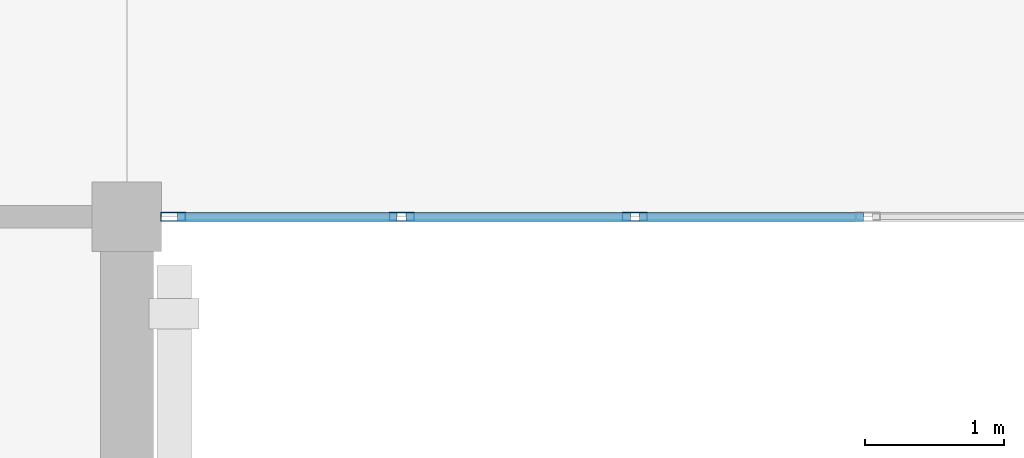
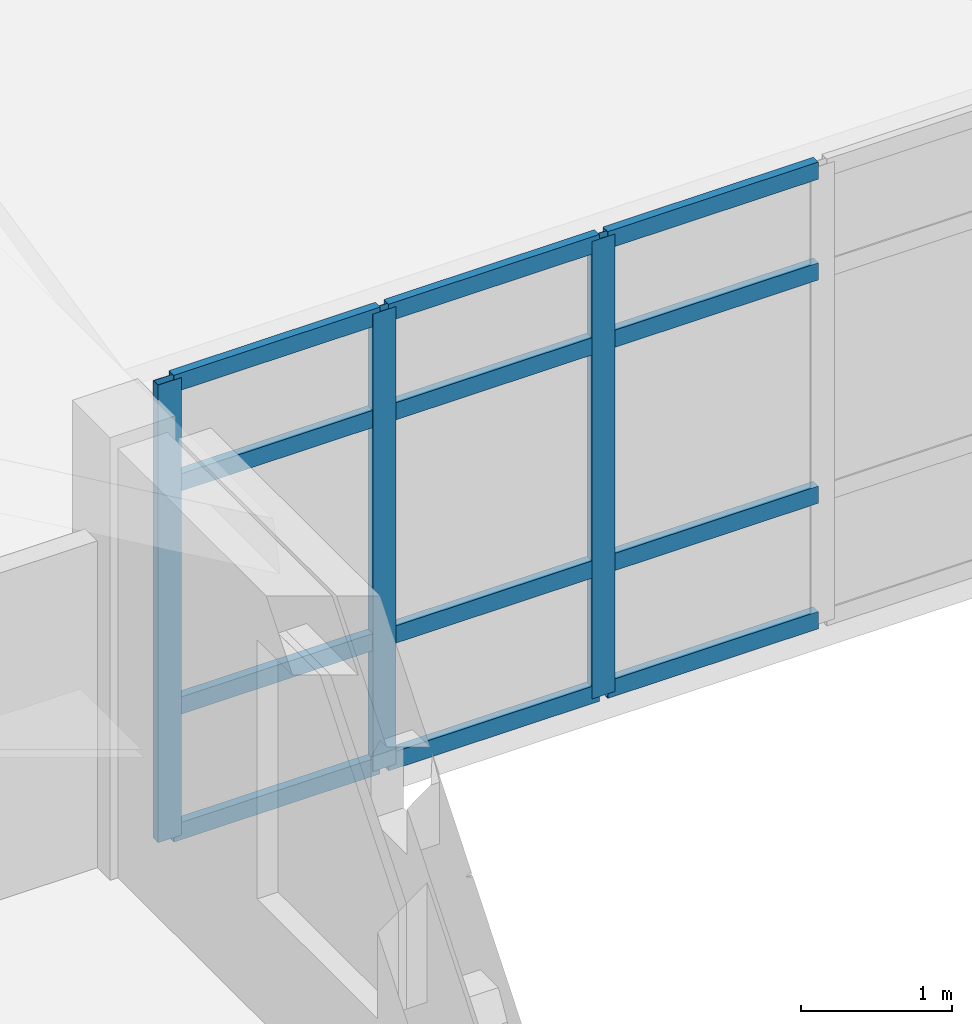
# One storey, part 44 of 156: 15 members, 1 element without a shape of its own.
"""IFC4 building model written with IfcOpenShell, lengths in metres."""

from ifc_helpers import new_model, si_unit, direction, frame, origin, origin_2d, place, context, subcontext, project, spatial, hollow_rectangle, extrude, material, layer, layer_set, material_profile, profile_set, type_object, element, aggregate, save


model = new_model("IFC4")

# Units and contexts
model_context = context("Model", 3, precision=1e-05, world=origin(), true_north=direction((0.0, 1.0)))
body_context = subcontext(model_context, "Body", "Model", "MODEL_VIEW")
ifc_project = project(units=[si_unit("LENGTHUNIT", "METRE"), si_unit("AREAUNIT", "SQUARE_METRE"), si_unit("VOLUMEUNIT", "CUBIC_METRE"), si_unit("PLANEANGLEUNIT", "RADIAN"), si_unit("MASSUNIT", "GRAM", prefix="KILO")], contexts=[model_context])

# Site, building, storey
site_placement = place(None, origin())
site = spatial("IfcSite", under=ifc_project, at=site_placement, CompositionType="ELEMENT")
building_placement = place(site_placement, origin())
building = spatial("IfcBuilding", under=site, at=building_placement, Name="Ornek Quay Market", CompositionType="ELEMENT")
storey_placement = place(building_placement, frame((0.0, 0.0, 4.5)))
storey = spatial("IfcBuildingStorey", under=building, at=storey_placement, Name="L01", CompositionType="ELEMENT", Elevation=4.5)

# Curtain wall, members
ifc_material_1 = material(Name="Anodised bronze aluminium and triple low-e glass", Category="aluminium")
ifc_layer = layer(ifc_material_1, 0.199951171875, Name="Anodised bronze aluminium and triple low-e glass", Category="aluminium")
ifc_layer_set = layer_set([ifc_layer], Name="Anodised bronze aluminium and triple low-e glass")
curtain_wall_type = type_object("IfcCurtainWallType", Name="CW-CONC-MOD1800", PredefinedType="USERDEFINED", material=ifc_layer_set)
curtain_wall_placement = place(storey_placement, origin())
curtain_wall = element("IfcCurtainWall", 1, at=curtain_wall_placement, inside=storey, type_object=curtain_wall_type, Name="Curtain wall CW-014", ObjectType="CURTAIN WALL", PredefinedType="USERDEFINED")
ifc_material_2 = material(Name="Anodised aluminium 6063-T6", Category="aluminium")
ifc_material_profile_1 = material_profile(ifc_material_2, hollow_rectangle(XDim=0.06494140625, YDim=0.179931640625, WallThickness=0.00439453125, at=origin_2d()), Name="CW-MUL-65x180", Category="aluminium")
ifc_profile_set_1 = profile_set([ifc_material_profile_1], Name="Anodised aluminium 6063-T6")
member_type_1 = type_object("IfcMemberType", Name="CW-MUL-65x180", PredefinedType="MULLION", material=ifc_profile_set_1)
member_1_placement = place(storey_placement, frame((27.33251953125, 92.0, 0.0), z_axis=(0.0, 0.0, 1.0), x_axis=(0.0, 1.0, 0.0)))
member_1 = element("IfcMember", 2, at=member_1_placement, type_object=member_type_1, Name="CW-014 mullion 1", PredefinedType="MULLION", context=body_context, shape_type="SweptSolid", body=[
    extrude(hollow_rectangle(XDim=0.06494140625, YDim=0.179931640625, WallThickness=0.00439453125, at=origin_2d()), origin(), (0.0, 0.0, 1.0), 3.7099609375),
])
member_2_placement = place(storey_placement, frame((28.97998046875, 92.0, 0.0), z_axis=(0.0, 0.0, 1.0), x_axis=(0.0, 1.0, 0.0)))
member_2 = element("IfcMember", 3, at=member_2_placement, type_object=member_type_1, Name="CW-014 mullion 2", PredefinedType="MULLION", context=body_context, shape_type="SweptSolid", body=[
    extrude(hollow_rectangle(XDim=0.06494140625, YDim=0.179931640625, WallThickness=0.00439453125, at=origin_2d()), origin(), (0.0, 0.0, 1.0), 3.7099609375),
])
member_3_placement = place(storey_placement, frame((30.659912109375, 92.0, 0.0), z_axis=(0.0, 0.0, 1.0), x_axis=(0.0, 1.0, 0.0)))
member_3 = element("IfcMember", 4, at=member_3_placement, type_object=member_type_1, Name="CW-014 mullion 3", PredefinedType="MULLION", context=body_context, shape_type="SweptSolid", body=[
    extrude(hollow_rectangle(XDim=0.06494140625, YDim=0.179931640625, WallThickness=0.00439453125, at=origin_2d()), origin(), (0.0, 0.0, 1.0), 3.7099609375),
])
ifc_material_profile_2 = material_profile(ifc_material_2, hollow_rectangle(XDim=0.06494140625, YDim=0.139892578125, WallThickness=0.00439453125, at=origin_2d()), Name="CW-TRN-65x140", Category="aluminium")
ifc_profile_set_2 = profile_set([ifc_material_profile_2], Name="Anodised aluminium 6063-T6")
member_type_2 = type_object("IfcMemberType", Name="CW-TRN-65x140", PredefinedType="USERDEFINED", material=ifc_profile_set_2)
member_4_placement = place(storey_placement, frame((27.364990234375, 92.0, 0.032470703125), z_axis=(1.0, 0.0, 0.0), x_axis=(0.0, 1.0, 0.0)))
member_4 = element("IfcMember", 5, at=member_4_placement, type_object=member_type_2, Name="CW-014 transom 1.1", ObjectType="TRANSOM", PredefinedType="USERDEFINED", context=body_context, shape_type="SweptSolid", body=[
    extrude(hollow_rectangle(XDim=0.06494140625, YDim=0.139892578125, WallThickness=0.00439453125, at=origin_2d()), origin(), (0.0, 0.0, 1.0), 1.58251953125),
])
member_5_placement = place(storey_placement, frame((27.364990234375, 92.0, 1.050048828125), z_axis=(1.0, 0.0, 0.0), x_axis=(0.0, 1.0, 0.0)))
member_5 = element("IfcMember", 6, at=member_5_placement, type_object=member_type_2, Name="CW-014 transom 1.2", ObjectType="TRANSOM", PredefinedType="USERDEFINED", context=body_context, shape_type="SweptSolid", body=[
    extrude(hollow_rectangle(XDim=0.06494140625, YDim=0.139892578125, WallThickness=0.00439453125, at=origin_2d()), origin(), (0.0, 0.0, 1.0), 1.58251953125),
])
member_6_placement = place(storey_placement, frame((27.364990234375, 92.0, 2.860107421875), z_axis=(1.0, 0.0, 0.0), x_axis=(0.0, 1.0, 0.0)))
member_6 = element("IfcMember", 7, at=member_6_placement, type_object=member_type_2, Name="CW-014 transom 1.3", ObjectType="TRANSOM", PredefinedType="USERDEFINED", context=body_context, shape_type="SweptSolid", body=[
    extrude(hollow_rectangle(XDim=0.06494140625, YDim=0.139892578125, WallThickness=0.00439453125, at=origin_2d()), origin(), (0.0, 0.0, 1.0), 1.58251953125),
])
member_7_placement = place(storey_placement, frame((27.364990234375, 92.0, 3.677490234375), z_axis=(1.0, 0.0, 0.0), x_axis=(0.0, 1.0, 0.0)))
member_7 = element("IfcMember", 8, at=member_7_placement, type_object=member_type_2, Name="CW-014 transom 1.4", ObjectType="TRANSOM", PredefinedType="USERDEFINED", context=body_context, shape_type="SweptSolid", body=[
    extrude(hollow_rectangle(XDim=0.06494140625, YDim=0.139892578125, WallThickness=0.00439453125, at=origin_2d()), origin(), (0.0, 0.0, 1.0), 1.58251953125),
])
member_8_placement = place(storey_placement, frame((29.012451171875, 92.0, 0.032470703125), z_axis=(1.0, 0.0, 0.0), x_axis=(0.0, 1.0, 0.0)))
member_8 = element("IfcMember", 9, at=member_8_placement, type_object=member_type_2, Name="CW-014 transom 2.1", ObjectType="TRANSOM", PredefinedType="USERDEFINED", context=body_context, shape_type="SweptSolid", body=[
    extrude(hollow_rectangle(XDim=0.06494140625, YDim=0.139892578125, WallThickness=0.00439453125, at=origin_2d()), origin(), (0.0, 0.0, 1.0), 1.614990234375),
])
member_9_placement = place(storey_placement, frame((29.012451171875, 92.0, 1.050048828125), z_axis=(1.0, 0.0, 0.0), x_axis=(0.0, 1.0, 0.0)))
member_9 = element("IfcMember", 10, at=member_9_placement, type_object=member_type_2, Name="CW-014 transom 2.2", ObjectType="TRANSOM", PredefinedType="USERDEFINED", context=body_context, shape_type="SweptSolid", body=[
    extrude(hollow_rectangle(XDim=0.06494140625, YDim=0.139892578125, WallThickness=0.00439453125, at=origin_2d()), origin(), (0.0, 0.0, 1.0), 1.614990234375),
])
member_10_placement = place(storey_placement, frame((29.012451171875, 92.0, 2.860107421875), z_axis=(1.0, 0.0, 0.0), x_axis=(0.0, 1.0, 0.0)))
member_10 = element("IfcMember", 11, at=member_10_placement, type_object=member_type_2, Name="CW-014 transom 2.3", ObjectType="TRANSOM", PredefinedType="USERDEFINED", context=body_context, shape_type="SweptSolid", body=[
    extrude(hollow_rectangle(XDim=0.06494140625, YDim=0.139892578125, WallThickness=0.00439453125, at=origin_2d()), origin(), (0.0, 0.0, 1.0), 1.614990234375),
])
member_11_placement = place(storey_placement, frame((29.012451171875, 92.0, 3.677490234375), z_axis=(1.0, 0.0, 0.0), x_axis=(0.0, 1.0, 0.0)))
member_11 = element("IfcMember", 12, at=member_11_placement, type_object=member_type_2, Name="CW-014 transom 2.4", ObjectType="TRANSOM", PredefinedType="USERDEFINED", context=body_context, shape_type="SweptSolid", body=[
    extrude(hollow_rectangle(XDim=0.06494140625, YDim=0.139892578125, WallThickness=0.00439453125, at=origin_2d()), origin(), (0.0, 0.0, 1.0), 1.614990234375),
])
member_12_placement = place(storey_placement, frame((30.6923828125, 92.0, 0.032470703125), z_axis=(1.0, 0.0, 0.0), x_axis=(0.0, 1.0, 0.0)))
member_12 = element("IfcMember", 13, at=member_12_placement, type_object=member_type_2, Name="CW-014 transom 3.1", ObjectType="TRANSOM", PredefinedType="USERDEFINED", context=body_context, shape_type="SweptSolid", body=[
    extrude(hollow_rectangle(XDim=0.06494140625, YDim=0.139892578125, WallThickness=0.00439453125, at=origin_2d()), origin(), (0.0, 0.0, 1.0), 1.615234375),
])
member_13_placement = place(storey_placement, frame((30.6923828125, 92.0, 1.050048828125), z_axis=(1.0, 0.0, 0.0), x_axis=(0.0, 1.0, 0.0)))
member_13 = element("IfcMember", 14, at=member_13_placement, type_object=member_type_2, Name="CW-014 transom 3.2", ObjectType="TRANSOM", PredefinedType="USERDEFINED", context=body_context, shape_type="SweptSolid", body=[
    extrude(hollow_rectangle(XDim=0.06494140625, YDim=0.139892578125, WallThickness=0.00439453125, at=origin_2d()), origin(), (0.0, 0.0, 1.0), 1.615234375),
])
member_14_placement = place(storey_placement, frame((30.6923828125, 92.0, 2.860107421875), z_axis=(1.0, 0.0, 0.0), x_axis=(0.0, 1.0, 0.0)))
member_14 = element("IfcMember", 15, at=member_14_placement, type_object=member_type_2, Name="CW-014 transom 3.3", ObjectType="TRANSOM", PredefinedType="USERDEFINED", context=body_context, shape_type="SweptSolid", body=[
    extrude(hollow_rectangle(XDim=0.06494140625, YDim=0.139892578125, WallThickness=0.00439453125, at=origin_2d()), origin(), (0.0, 0.0, 1.0), 1.615234375),
])
member_15_placement = place(storey_placement, frame((30.6923828125, 92.0, 3.677490234375), z_axis=(1.0, 0.0, 0.0), x_axis=(0.0, 1.0, 0.0)))
member_15 = element("IfcMember", 16, at=member_15_placement, type_object=member_type_2, Name="CW-014 transom 3.4", ObjectType="TRANSOM", PredefinedType="USERDEFINED", context=body_context, shape_type="SweptSolid", body=[
    extrude(hollow_rectangle(XDim=0.06494140625, YDim=0.139892578125, WallThickness=0.00439453125, at=origin_2d()), origin(), (0.0, 0.0, 1.0), 1.615234375),
])
aggregate(curtain_wall, [member_1, member_2, member_3, member_4, member_5, member_6, member_7, member_8, member_9, member_10, member_11, member_12, member_13, member_14, member_15])

save(model, "model.ifc")
